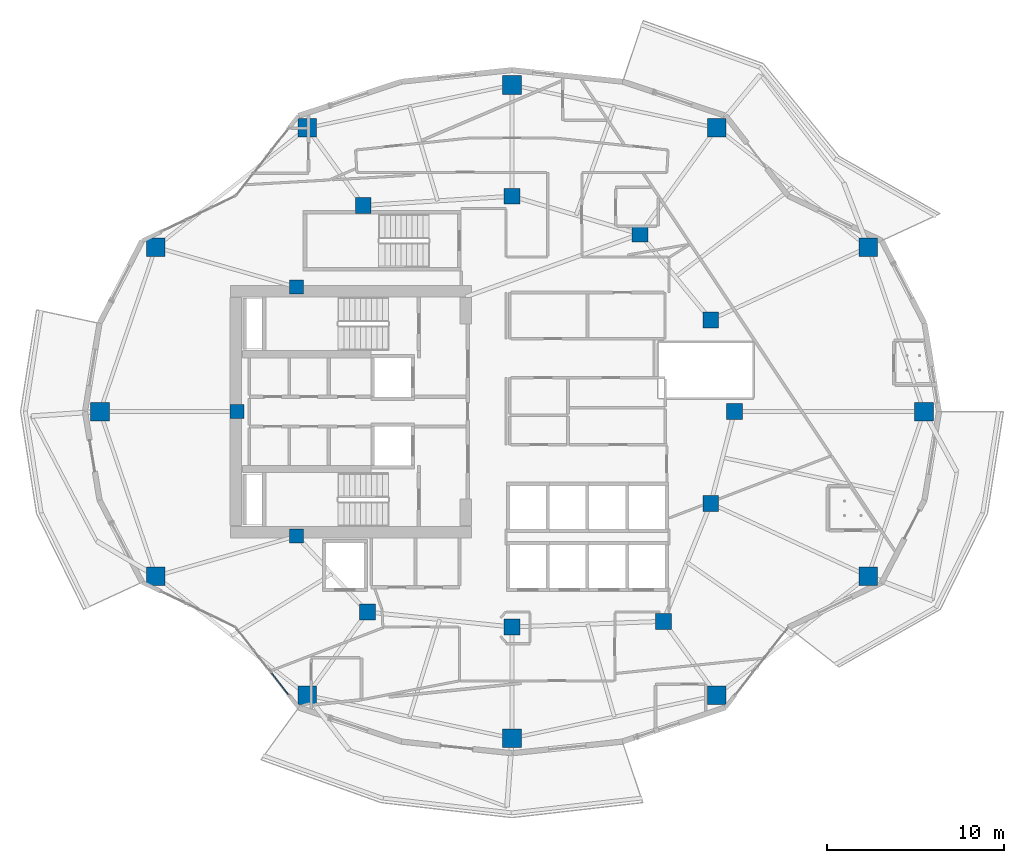
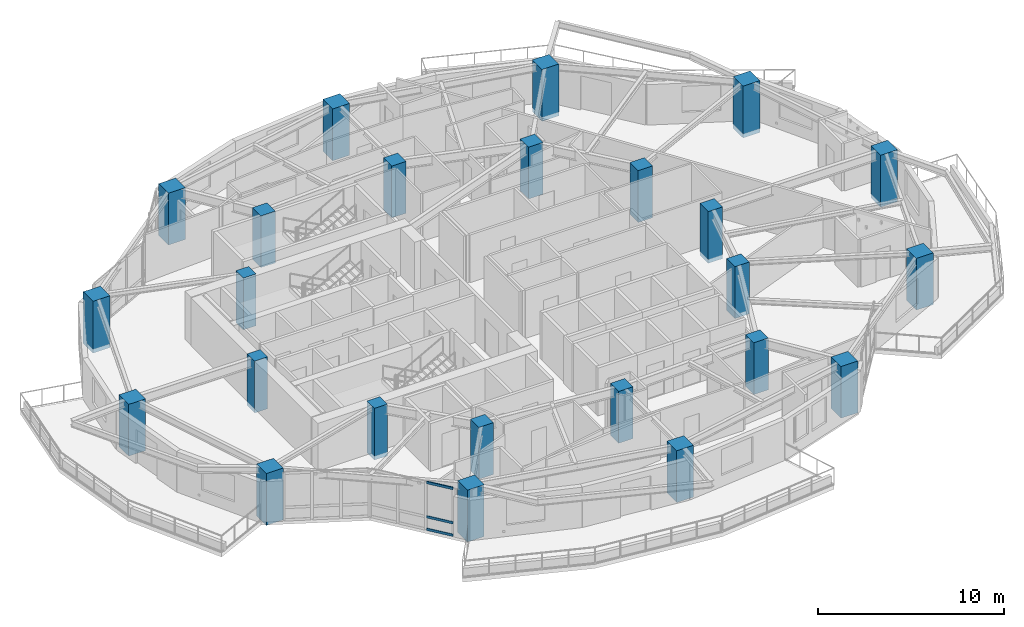
# One storey, part 1 of 18: 24 columns, 3 members, 1 element without a shape of its own.
"""IFC4 building model written with IfcOpenShell, lengths in metres."""

import ifcopenshell
import ifcopenshell.guid

model = None  # the IFC model being written
_history = None  # IfcOwnerHistory: only IFC2X3 demands one
_inside = {}  # id of a spatial element -> (the spatial element, [elements in it])
_under = {}  # id of a project, library or spatial element -> (it, [spatial elements below it])
_declared = {}  # id of a project -> (the project, [libraries it declares])
_typed = {}  # id of a type object -> (the type object, [elements of that type])
_made_of = {}  # id of a material, layer set ... -> (it, [elements and type objects made of it])


def new_model(schema):
    """Start an empty IFC model of exactly this schema.

    Asked for "IFC4X3", IfcOpenShell would pick the latest addendum, in which some entities
    have other attributes; the version numbers below select the first issue.
    IFC2X3 requires an IfcOwnerHistory on every rooted entity: one is made here for all.
    """
    global model, _history
    if schema == "IFC4X3":
        model = ifcopenshell.file(schema_version=(4, 3, 0, 0))
    else:
        model = ifcopenshell.file(schema=schema)
    _inside.clear()
    _under.clear()
    _declared.clear()
    _typed.clear()
    _made_of.clear()
    _history = None
    if model.schema == "IFC2X3":
        org = make("IfcOrganization", Name="unknown")
        user = make(
            "IfcPersonAndOrganization",
            ThePerson=make("IfcPerson", FamilyName="unknown"),
            TheOrganization=org,
        )
        app = make(
            "IfcApplication",
            ApplicationDeveloper=org,
            Version="unknown",
            ApplicationFullName="unknown",
            ApplicationIdentifier="unknown",
        )
        _history = make(
            "IfcOwnerHistory",
            OwningUser=user,
            OwningApplication=app,
            ChangeAction="ADDED",
            CreationDate=0,
        )
    return model


def make(cls, **values):
    """One entity of the class cls with the attributes given. An attribute that is None is left unset."""
    return model.create_entity(
        cls, **{name: value for name, value in values.items() if value is not None}
    )


def rooted(cls, **values):
    """An entity with a GlobalId (a new one), such as an element, a storey or a relation."""
    return make(cls, GlobalId=ifcopenshell.guid.new(), OwnerHistory=_history, **values)


def si_unit(unit_type, name, prefix=None):
    """IfcSIUnit, for example si_unit("LENGTHUNIT", "METRE", prefix="MILLI")."""
    return make("IfcSIUnit", UnitType=unit_type, Prefix=prefix, Name=name)


def assignment(units):
    """IfcUnitAssignment: the units of a project."""
    return None if units is None else make("IfcUnitAssignment", Units=units)


def point(xyz):
    """IfcCartesianPoint."""
    return None if xyz is None else make("IfcCartesianPoint", Coordinates=xyz)


def direction(xyz):
    """IfcDirection."""
    return None if xyz is None else make("IfcDirection", DirectionRatios=xyz)


def frame(location, z_axis=None, x_axis=None):
    """IfcAxis2Placement3D, a coordinate frame: its origin and axes. An axis left out is left unset."""
    return make(
        "IfcAxis2Placement3D",
        Location=point(location),
        Axis=direction(z_axis),
        RefDirection=direction(x_axis),
    )


def frame_2d(location, x_axis=None):
    """IfcAxis2Placement2D, a coordinate frame in the plane: its origin and x axis."""
    return make(
        "IfcAxis2Placement2D", Location=point(location), RefDirection=direction(x_axis)
    )


def origin():
    """The frame at (0, 0, 0) with its axes left unset."""
    return frame((0.0, 0.0, 0.0))


def origin_2d():
    """The frame at (0, 0) in the plane with its x axis left unset."""
    return frame_2d((0.0, 0.0))


def place(relative_to, where):
    """IfcLocalPlacement: puts the frame where relative to a parent placement (None: the world)."""
    return make(
        "IfcLocalPlacement", PlacementRelTo=relative_to, RelativePlacement=where
    )


def context(
    kind, dimensions, precision=None, world=None, true_north=None, identifier=None
):
    """IfcGeometricRepresentationContext, for example the 3D "Model" context."""
    return make(
        "IfcGeometricRepresentationContext",
        ContextIdentifier=identifier,
        ContextType=kind,
        CoordinateSpaceDimension=dimensions,
        Precision=precision,
        WorldCoordinateSystem=world,
        TrueNorth=true_north,
    )


def subcontext(parent, identifier, kind, view, scale=None):
    """IfcGeometricRepresentationSubContext, for example "Body" below "Model"."""
    return make(
        "IfcGeometricRepresentationSubContext",
        ContextIdentifier=identifier,
        ContextType=kind,
        ParentContext=parent,
        TargetScale=scale,
        TargetView=view,
    )


def project(units=None, contexts=None):
    """IfcProject with its units and contexts."""
    return rooted(
        "IfcProject",
        Name="project",
        RepresentationContexts=contexts,
        UnitsInContext=assignment(units),
    )


def spatial(cls, under=None, at=None, **own):
    """A site, building, storey or space (cls), placed at a placement, below another one or the project."""
    s = rooted(cls, ObjectPlacement=at, **own)
    if under is not None:
        _under.setdefault(under.id(), (under, []))[1].append(s)
    return s


def profile(cls, at=None, kind="AREA", **sizes):
    """A parametric profile (cls). Its sizes go by their IFC names, for example OverallWidth=200.0."""
    return make(cls, ProfileType=kind, Position=at, **sizes)


def rectangle(**sizes):
    """IfcRectangleProfileDef."""
    return profile("IfcRectangleProfileDef", **sizes)


def extrude(swept, where, along, depth):
    """IfcExtrudedAreaSolid: the profile swept, set in the frame where, extruded along a direction by depth."""
    return make(
        "IfcExtrudedAreaSolid",
        SweptArea=swept,
        Position=where,
        ExtrudedDirection=direction(along),
        Depth=depth,
    )


def shape(context_of_items, identifier, shape_type, items):
    """IfcShapeRepresentation: the items that make up one representation, for example the "Body"."""
    return make(
        "IfcShapeRepresentation",
        ContextOfItems=context_of_items,
        RepresentationIdentifier=identifier,
        RepresentationType=shape_type,
        Items=items,
    )


def material(Name=None, Category=None):
    """IfcMaterial."""
    return make("IfcMaterial", Name=Name, Category=Category)


def layer(
    of_material, thickness, ventilated=None, Name=None, Category=None, Priority=None
):
    """IfcMaterialLayer: one layer of a wall or slab, of a material (None: an air gap)."""
    return make(
        "IfcMaterialLayer",
        Material=of_material,
        LayerThickness=thickness,
        IsVentilated=ventilated,
        Name=Name,
        Category=Category,
        Priority=Priority,
    )


def layer_set(layers, Name=None):
    """IfcMaterialLayerSet."""
    return make("IfcMaterialLayerSet", MaterialLayers=layers, LayerSetName=Name)


def material_profile(
    of_material, cross_section, Name=None, Category=None, Priority=None
):
    """IfcMaterialProfile: a cross section and its material."""
    return make(
        "IfcMaterialProfile",
        Name=Name,
        Material=of_material,
        Profile=cross_section,
        Priority=Priority,
        Category=Category,
    )


def profile_set(profiles, Name=None, composite=None):
    """IfcMaterialProfileSet."""
    return make(
        "IfcMaterialProfileSet",
        Name=Name,
        MaterialProfiles=profiles,
        CompositeProfile=composite,
    )


def made_of(thing, what):
    """Note that an element or type object is made of a material, layer set ...; save() writes the relation."""
    if what is not None:
        _made_of.setdefault(what.id(), (what, []))[1].append(thing)
    return thing


def type_object(cls, material=None, **own):
    """A type object (cls), such as IfcWallType, which elements share."""
    return made_of(rooted(cls, **own), material)


def element(
    cls,
    number,
    at=None,
    inside=None,
    cuts=None,
    type_object=None,
    material=None,
    context=None,
    identifier="Body",
    shape_type=None,
    held_by="IfcProductDefinitionShape",
    body=None,
    shapes=None,
    **own,
):
    """One element of the class cls, such as IfcWall. Its Tag is "e" and its number.

    at: its placement. inside: the storey or other place that contains it. cuts: it is an
    opening in that element (IfcRelVoidsElement). A single representation is given by context,
    identifier, shape_type and body (its items); several are given by shapes. held_by: the class
    of the entity that holds the representations. save() writes the other relations.
    """
    e = rooted(cls, Tag="e%d" % number, ObjectPlacement=at, **own)
    if body is not None:
        shapes = [shape(context, identifier, shape_type, body)]
    if shapes is not None:
        e.Representation = make(held_by, Representations=shapes)
    if inside is not None:
        _inside.setdefault(inside.id(), (inside, []))[1].append(e)
    if cuts is not None:
        rooted(
            "IfcRelVoidsElement", RelatingBuildingElement=cuts, RelatedOpeningElement=e
        )
    if type_object is not None:
        _typed.setdefault(type_object.id(), (type_object, []))[1].append(e)
    return made_of(e, material)


def aggregate(whole, parts):
    """IfcRelAggregates: a whole, such as a stair, and the parts it consists of."""
    return rooted("IfcRelAggregates", RelatingObject=whole, RelatedObjects=parts)


def save(model, path):
    """Write the relations noted so far, then the file.

    IfcRelAggregates (storeys below a building ...), IfcRelContainedInSpatialStructure (elements
    in a storey), IfcRelDefinesByType, IfcRelAssociatesMaterial and IfcRelDeclares: one each for
    every whole, place, type object, material and project.
    """
    for whole, parts in _under.values():
        aggregate(whole, parts)
    for where, things in _inside.values():
        rooted(
            "IfcRelContainedInSpatialStructure",
            RelatedElements=things,
            RelatingStructure=where,
        )
    for kind, things in _typed.values():
        rooted("IfcRelDefinesByType", RelatedObjects=things, RelatingType=kind)
    for what, things in _made_of.values():
        rooted("IfcRelAssociatesMaterial", RelatedObjects=things, RelatingMaterial=what)
    for by, libraries in _declared.values():
        rooted("IfcRelDeclares", RelatingContext=by, RelatedDefinitions=libraries)
    model.write(path)


model = new_model("IFC4")

# Units and contexts
model_context = context("Model", 3, precision=1e-05, world=origin(), true_north=direction((0.0, 1.0)))
body_context = subcontext(model_context, "Body", "Model", "MODEL_VIEW")
ifc_project = project(units=[si_unit("LENGTHUNIT", "METRE"), si_unit("AREAUNIT", "SQUARE_METRE"), si_unit("VOLUMEUNIT", "CUBIC_METRE"), si_unit("PLANEANGLEUNIT", "RADIAN"), si_unit("MASSUNIT", "GRAM", prefix="KILO")], contexts=[model_context])

# Site, building, storey
site_placement = place(None, origin())
site = spatial("IfcSite", under=ifc_project, at=site_placement, CompositionType="ELEMENT")
building_placement = place(site_placement, origin())
building = spatial("IfcBuilding", under=site, at=building_placement, Name="Kolvaren Gate Tower and Convention Centre", CompositionType="ELEMENT")
storey_placement = place(building_placement, frame((0.0, 0.0, 108.699951171875)))
storey = spatial("IfcBuildingStorey", under=building, at=storey_placement, Name="L26", CompositionType="ELEMENT", Elevation=108.699951171875)

# Columns
ifc_material_1 = material(Name="Concrete C60/75", Category="concrete")
ifc_material_profile_1 = material_profile(ifc_material_1, rectangle(XDim=1.050048828125, YDim=1.050048828125, at=origin_2d()), Name="RC-COL-1050X1050")
ifc_profile_set_1 = profile_set([ifc_material_profile_1], Name="Concrete C60/75")
column_type_1 = type_object("IfcColumnType", Name="STR-COL-RC1050", PredefinedType="COLUMN", material=ifc_profile_set_1)
for number, where, z_axis, x_axis, name in (
    (1, (53.46240234375, 27.0, -0.27001953125), (0.0, 0.0, 1.0), (1.0, 0.0, 0.0), "Tower L26 Perimeter Supercolumn TP-01"),
    (2, (50.30029296875, 36.318603515625, -0.27001953125), (0.0, 0.0, 1.0), (1.0, 0.0, 0.0), "Tower L26 Perimeter Supercolumn TP-02"),
    (3, (41.721435546875, 43.068359375, -0.27001953125), (0.0, 0.0, 1.0), (1.0, 0.0, 0.0), "Tower L26 Perimeter Supercolumn TP-03"),
    (4, (30.125, 45.5, -0.27001953125), (0.0, 0.0, 1.0), (1.0, 0.0, 0.0), "Tower L26 Perimeter Supercolumn TP-04"),
    (5, (18.52880859375, 43.068359375, -0.27001953125), (0.0, 0.0, 1.0), (1.0, 0.0, 0.0), "Tower L26 Perimeter Supercolumn TP-05"),
    (6, (9.94970703125, 36.318603515625, -0.27001953125), (0.0, 0.0, 1.0), (1.0, 0.0, 0.0), "Tower L26 Perimeter Supercolumn TP-06"),
    (7, (6.78759765625, 27.0, -0.27001953125), (0.0, 0.0, 1.0), (1.0, 0.0, 0.0), "Tower L26 Perimeter Supercolumn TP-07"),
    (8, (9.94970703125, 17.681396484375, -0.27001953125), (0.0, 0.0, 1.0), (1.0, 0.0, 0.0), "Tower L26 Perimeter Supercolumn TP-08"),
    (9, (18.528564453125, 10.931640625, -0.27001953125), (0.0, 0.0, 1.0), (1.0, 0.0, 0.0), "Tower L26 Perimeter Supercolumn TP-09"),
    (10, (30.125, 8.5, -0.27001953125), (0.0, 0.0, 1.0), (1.0, 0.0, 0.0), "Tower L26 Perimeter Supercolumn TP-10"),
    (11, (41.721435546875, 10.931640625, -0.27001953125), (0.0, 0.0, 1.0), (1.0, 0.0, 0.0), "Tower L26 Perimeter Supercolumn TP-11"),
    (12, (50.30029296875, 17.681396484375, -0.27001953125), (0.0, 0.0, 1.0), (1.0, 0.0, 0.0), "Tower L26 Perimeter Supercolumn TP-12"),
):
    element("IfcColumn", number, at=place(storey_placement, frame(where, z_axis=z_axis, x_axis=x_axis)), inside=storey, type_object=column_type_1, Name=name, PredefinedType="COLUMN", context=body_context, shape_type="SweptSolid", body=[
        extrude(rectangle(XDim=1.050048828125, YDim=1.050048828125, at=origin_2d()), origin(), (0.0, 0.0, 1.0), 3.400146484375),
    ])
ifc_material_profile_2 = material_profile(ifc_material_1, rectangle(XDim=0.89990234375, YDim=0.89990234375, at=origin_2d()), Name="RC-COL-900X900")
ifc_profile_set_2 = profile_set([ifc_material_profile_2], Name="Concrete C60/75")
column_type_2 = type_object("IfcColumnType", Name="STR-COL-RC900", PredefinedType="COLUMN", material=ifc_profile_set_2)
for number, where, z_axis, x_axis, name in (
    (13, (42.72509765625, 27.0, -0.27001953125), (0.0, 0.0, 1.0), (1.0, 0.0, 0.0), "Tower L26 Interior Column TI-01"),
    (14, (41.382080078125, 32.199462890625, -0.27001953125), (0.0, 0.0, 1.0), (1.0, 0.0, 0.0), "Tower L26 Interior Column TI-02"),
    (15, (37.381591796875, 37.054931640625, -0.27001953125), (0.0, 0.0, 1.0), (1.0, 0.0, 0.0), "Tower L26 Interior Column TI-03"),
    (16, (30.125, 39.199951171875, -0.27001953125), (0.0, 0.0, 1.0), (1.0, 0.0, 0.0), "Tower L26 Interior Column TI-04"),
    (17, (21.697998046875, 38.6767578125, -0.27001953125), (0.0, 0.0, 1.0), (1.0, 0.0, 0.0), "Tower L26 Interior Column TI-05"),
    (18, (21.93212890625, 15.647705078125, -0.27001953125), (0.0, 0.0, 1.0), (1.0, 0.0, 0.0), "Tower L26 Interior Column TI-06"),
    (19, (30.125, 14.800048828125, -0.27001953125), (0.0, 0.0, 1.0), (1.0, 0.0, 0.0), "Tower L26 Interior Column TI-07"),
    (20, (38.6982421875, 15.12060546875, -0.27001953125), (0.0, 0.0, 1.0), (1.0, 0.0, 0.0), "Tower L26 Interior Column TI-08"),
    (21, (41.382080078125, 21.800537109375, -0.27001953125), (0.0, 0.0, 1.0), (1.0, 0.0, 0.0), "Tower L26 Interior Column TI-09"),
):
    element("IfcColumn", number, at=place(storey_placement, frame(where, z_axis=z_axis, x_axis=x_axis)), inside=storey, type_object=column_type_2, Name=name, PredefinedType="COLUMN", context=body_context, shape_type="SweptSolid", body=[
        extrude(rectangle(XDim=0.89990234375, YDim=0.89990234375, at=origin_2d()), origin(), (0.0, 0.0, 1.0), 3.400146484375),
    ])
ifc_material_profile_3 = material_profile(ifc_material_1, rectangle(XDim=0.800048828125, YDim=0.800048828125, at=origin_2d()), Name="RC-COL-800X800")
ifc_profile_set_3 = profile_set([ifc_material_profile_3], Name="Concrete C60/75")
column_type_3 = type_object("IfcColumnType", Name="STR-PIL-RC800", PredefinedType="PILASTER", material=ifc_profile_set_3)
for number, where, z_axis, x_axis, name in (
    (22, (17.9140625, 34.050048828125, -0.27001953125), (0.0, 0.0, 1.0), (1.0, 0.0, 0.0), "Tower L26 Core Boundary Pilaster TC-05"),
    (23, (14.550048828125, 27.0, -0.27001953125), (0.0, 0.0, 1.0), (1.0, 0.0, 0.0), "Tower L26 Core Boundary Pilaster TC-06"),
    (24, (17.9140625, 19.949951171875, -0.27001953125), (0.0, 0.0, 1.0), (1.0, 0.0, 0.0), "Tower L26 Core Boundary Pilaster TC-07"),
):
    element("IfcColumn", number, at=place(storey_placement, frame(where, z_axis=z_axis, x_axis=x_axis)), inside=storey, type_object=column_type_3, Name=name, PredefinedType="PILASTER", context=body_context, shape_type="SweptSolid", body=[
        extrude(rectangle(XDim=0.800048828125, YDim=0.800048828125, at=origin_2d()), origin(), (0.0, 0.0, 1.0), 3.400146484375),
    ])

# Curtain wall, members
ifc_material_2 = material(Name="Anodized Architectural Aluminium Alloy 6063-T6", Category="aluminium")
ifc_layer = layer(ifc_material_2, 0.159912109375)
ifc_layer_set = layer_set([ifc_layer], Name="Anodized Architectural Aluminium Alloy 6063-T6")
curtain_wall_type = type_object("IfcCurtainWallType", Name="CW-HTL-UNIT", PredefinedType="NOTDEFINED", material=ifc_layer_set)
curtain_wall_placement = place(storey_placement, origin())
curtain_wall = element("IfcCurtainWall", 25, at=curtain_wall_placement, inside=storey, type_object=curtain_wall_type, Name="Tower L26 Unitised Curtain Wall CW-HTL-UNIT Bay 15", PredefinedType="NOTDEFINED")
ifc_material_profile_4 = material_profile(ifc_material_2, rectangle(XDim=0.06494140625, YDim=0.159912109375, at=origin_2d()), Name="CW-MEM-TRN-160")
ifc_profile_set_4 = profile_set([ifc_material_profile_4], Name="Anodized Architectural Aluminium Alloy 6063-T6")
member_type = type_object("IfcMemberType", Name="CW-MEM-TRN-160", PredefinedType="USERDEFINED", material=ifc_profile_set_4)
member_1_placement = place(storey_placement, frame((16.508056640625, 12.188232421875, 0.032470703125), z_axis=(0.61639000373, -0.78744102211, 0.0), x_axis=(0.78744102211, 0.61639000373, 0.0)))
member_1 = element("IfcMember", 26, at=member_1_placement, type_object=member_type, Name="CW-03 transom 3.1", ObjectType="TRANSOM", PredefinedType="USERDEFINED", context=body_context, shape_type="SweptSolid", body=[
    extrude(rectangle(XDim=0.06494140625, YDim=0.159912109375, at=origin_2d()), origin(), (0.0, 0.0, 1.0), 1.530029296875),
])
member_2_placement = place(storey_placement, frame((16.508056640625, 12.188232421875, 0.85009765625), z_axis=(0.61639000373, -0.78744102211, 0.0), x_axis=(0.78744102211, 0.61639000373, 0.0)))
member_2 = element("IfcMember", 27, at=member_2_placement, type_object=member_type, Name="CW-03 transom 3.2", ObjectType="TRANSOM", PredefinedType="USERDEFINED", context=body_context, shape_type="SweptSolid", body=[
    extrude(rectangle(XDim=0.06494140625, YDim=0.159912109375, at=origin_2d()), origin(), (0.0, 0.0, 1.0), 1.530029296875),
])
member_3_placement = place(storey_placement, frame((16.508056640625, 12.188232421875, 3.09765625), z_axis=(0.61639000373, -0.78744102211, 0.0), x_axis=(0.78744102211, 0.61639000373, 0.0)))
member_3 = element("IfcMember", 28, at=member_3_placement, type_object=member_type, Name="CW-03 transom 3.3", ObjectType="TRANSOM", PredefinedType="USERDEFINED", context=body_context, shape_type="SweptSolid", body=[
    extrude(rectangle(XDim=0.06494140625, YDim=0.159912109375, at=origin_2d()), origin(), (0.0, 0.0, 1.0), 1.530029296875),
])
aggregate(curtain_wall, [member_1, member_2, member_3])

save(model, "model.ifc")
